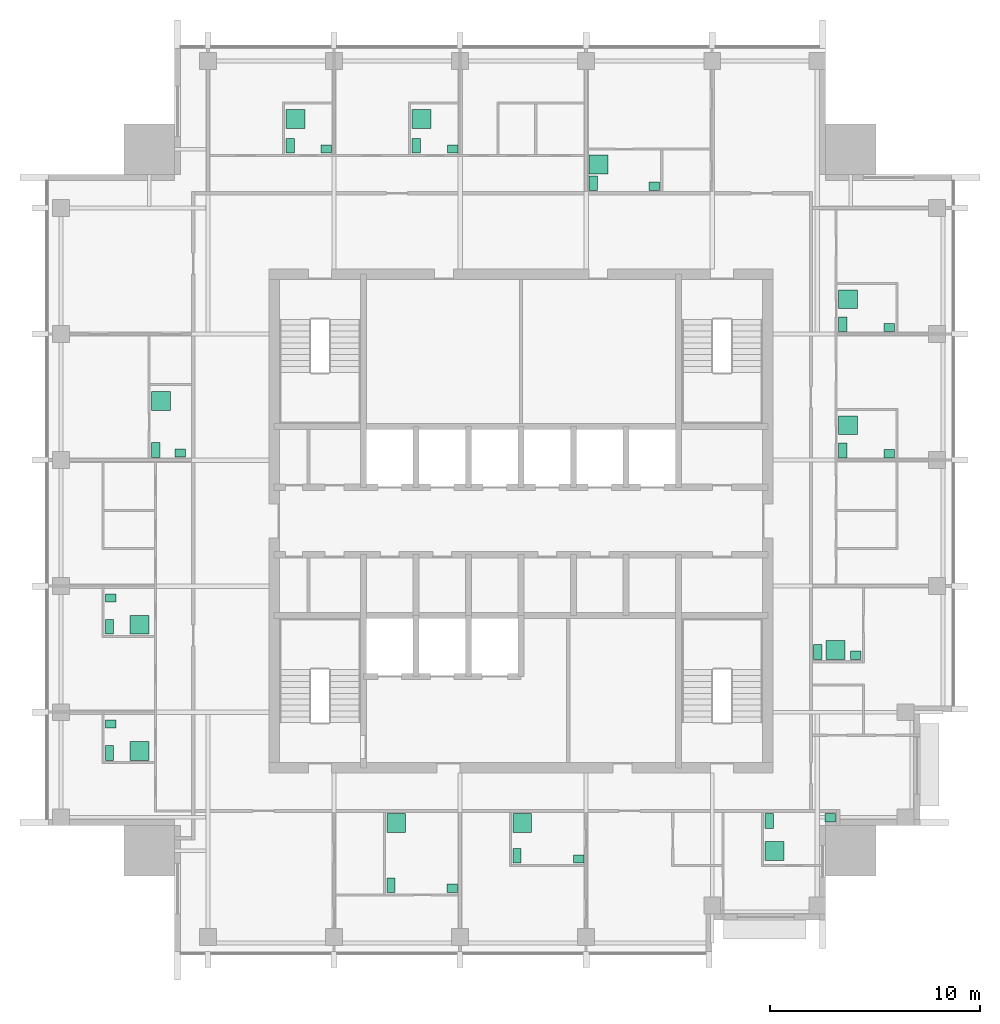
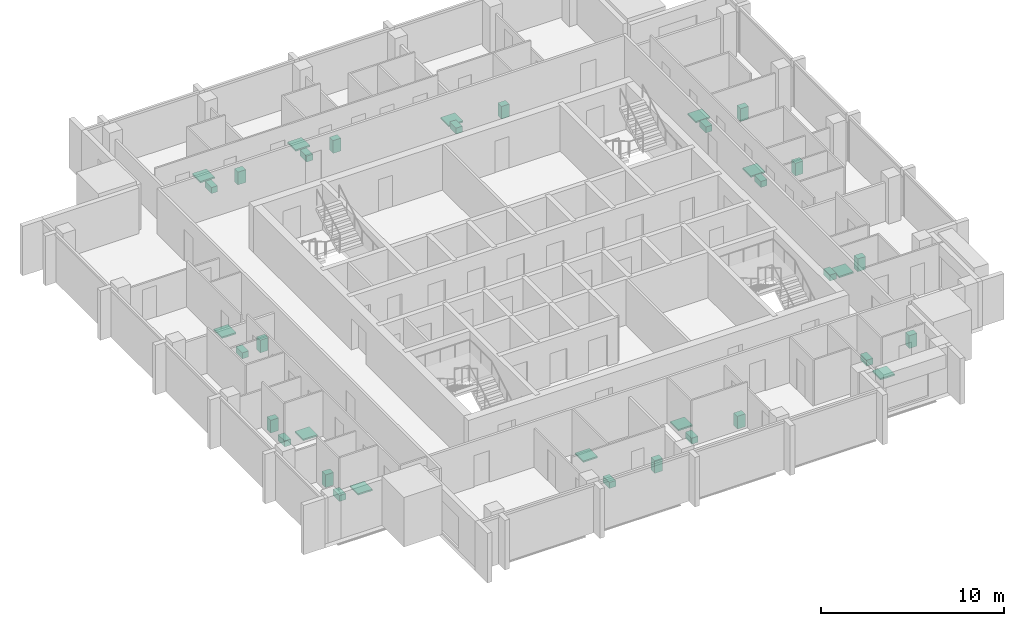
# One storey, part 10 of 10: 36 sanitary terminals.
"""IFC4 building model written with IfcOpenShell, lengths in metres."""

from ifc_helpers import new_model, si_unit, direction, frame, origin, origin_2d, place, context, subcontext, project, spatial, rectangle, extrude, element, save


model = new_model("IFC4")

# Units and contexts
model_context = context("Model", 3, precision=1e-05, world=origin(), true_north=direction((0.0, 1.0)))
body_context = subcontext(model_context, "Body", "Model", "MODEL_VIEW")
ifc_project = project(units=[si_unit("LENGTHUNIT", "METRE"), si_unit("AREAUNIT", "SQUARE_METRE"), si_unit("VOLUMEUNIT", "CUBIC_METRE"), si_unit("PLANEANGLEUNIT", "RADIAN"), si_unit("MASSUNIT", "GRAM", prefix="KILO")], contexts=[model_context])

# Site, building, storey
site_placement = place(None, origin())
site = spatial("IfcSite", under=ifc_project, at=site_placement, CompositionType="ELEMENT")
building_placement = place(site_placement, origin())
building = spatial("IfcBuilding", under=site, at=building_placement, Name="Amberfall Residences", CompositionType="ELEMENT")
storey_placement = place(building_placement, frame((0.0, 0.0, 275.199951171875)))
storey = spatial("IfcBuildingStorey", under=building, at=storey_placement, Name="L74", CompositionType="ELEMENT", Elevation=275.199951171875)

# Sanitary terminals
sanitary_terminal_1_placement = place(storey_placement, frame((68.31005859375, 28.159912109375, 0.0), z_axis=(0.0, 0.0, 1.0), x_axis=(1.0, 0.0, 0.0)))
element("IfcSanitaryTerminal", 1, at=sanitary_terminal_1_placement, inside=storey, Name="Water closet 7401", PredefinedType="TOILETPAN", context=body_context, shape_type="SweptSolid", body=[
    extrude(rectangle(XDim=0.39990234375, YDim=0.699951171875, at=origin_2d()), origin(), (0.0, 0.0, 1.0), 0.39990234375),
])
sanitary_terminal_2_placement = place(storey_placement, frame((71.215087890625, 28.010009765625, 0.0), z_axis=(0.0, 0.0, 1.0), x_axis=(1.0, 0.0, 0.0)))
element("IfcSanitaryTerminal", 2, at=sanitary_terminal_2_placement, inside=storey, Name="Basin 7401", PredefinedType="WASHHANDBASIN", context=body_context, shape_type="SweptSolid", body=[
    extrude(rectangle(XDim=0.5, YDim=0.39990234375, at=origin_2d()), origin(), (0.0, 0.0, 1.0), 0.85009765625),
])
sanitary_terminal_3_placement = place(storey_placement, frame((68.56005859375, 31.114990234375, 0.0), z_axis=(0.0, 0.0, 1.0), x_axis=(1.0, 0.0, 0.0)))
element("IfcSanitaryTerminal", 3, at=sanitary_terminal_3_placement, inside=storey, Name="Shower tray 7401", PredefinedType="SHOWER", context=body_context, shape_type="SweptSolid", body=[
    extrude(rectangle(XDim=0.89990234375, YDim=0.89990234375, at=origin_2d()), origin(), (0.0, 0.0, 1.0), 0.10009765625),
])
sanitary_terminal_4_placement = place(storey_placement, frame((74.31005859375, 29.56005859375, 0.0), z_axis=(0.0, 0.0, 1.0), x_axis=(1.0, 0.0, 0.0)))
element("IfcSanitaryTerminal", 4, at=sanitary_terminal_4_placement, inside=storey, Name="Water closet 7402", PredefinedType="TOILETPAN", context=body_context, shape_type="SweptSolid", body=[
    extrude(rectangle(XDim=0.39990234375, YDim=0.699951171875, at=origin_2d()), origin(), (0.0, 0.0, 1.0), 0.39990234375),
])
sanitary_terminal_5_placement = place(storey_placement, frame((77.239990234375, 29.409912109375, 0.0), z_axis=(0.0, 0.0, 1.0), x_axis=(1.0, 0.0, 0.0)))
element("IfcSanitaryTerminal", 5, at=sanitary_terminal_5_placement, inside=storey, Name="Basin 7402", PredefinedType="WASHHANDBASIN", context=body_context, shape_type="SweptSolid", body=[
    extrude(rectangle(XDim=0.5, YDim=0.39990234375, at=origin_2d()), origin(), (0.0, 0.0, 1.0), 0.85009765625),
])
sanitary_terminal_6_placement = place(storey_placement, frame((74.56005859375, 31.114990234375, 0.0), z_axis=(0.0, 0.0, 1.0), x_axis=(1.0, 0.0, 0.0)))
element("IfcSanitaryTerminal", 6, at=sanitary_terminal_6_placement, inside=storey, Name="Shower tray 7402", PredefinedType="SHOWER", context=body_context, shape_type="SweptSolid", body=[
    extrude(rectangle(XDim=0.89990234375, YDim=0.89990234375, at=origin_2d()), origin(), (0.0, 0.0, 1.0), 0.10009765625),
])
sanitary_terminal_7_placement = place(storey_placement, frame((86.31005859375, 31.215087890625, 0.0), z_axis=(0.0, 0.0, 1.0), x_axis=(1.0, 0.0, 0.0)))
element("IfcSanitaryTerminal", 7, at=sanitary_terminal_7_placement, inside=storey, Name="Water closet 7402", PredefinedType="TOILETPAN", context=body_context, shape_type="SweptSolid", body=[
    extrude(rectangle(XDim=0.39990234375, YDim=0.699951171875, at=origin_2d()), origin(), (0.0, 0.0, 1.0), 0.39990234375),
])
sanitary_terminal_8_placement = place(storey_placement, frame((89.215087890625, 31.364990234375, 0.0), z_axis=(0.0, 0.0, 1.0), x_axis=(1.0, 0.0, 0.0)))
element("IfcSanitaryTerminal", 8, at=sanitary_terminal_8_placement, inside=storey, Name="Basin 7402", PredefinedType="WASHHANDBASIN", context=body_context, shape_type="SweptSolid", body=[
    extrude(rectangle(XDim=0.5, YDim=0.39990234375, at=origin_2d()), origin(), (0.0, 0.0, 1.0), 0.85009765625),
])
sanitary_terminal_9_placement = place(storey_placement, frame((86.56005859375, 29.798095703125, 0.0), z_axis=(0.0, 0.0, 1.0), x_axis=(1.0, 0.0, 0.0)))
element("IfcSanitaryTerminal", 9, at=sanitary_terminal_9_placement, inside=storey, Name="Shower tray 7402", PredefinedType="SHOWER", context=body_context, shape_type="SweptSolid", body=[
    extrude(rectangle(XDim=0.89990234375, YDim=0.89990234375, at=origin_2d()), origin(), (0.0, 0.0, 1.0), 0.10009765625),
])
sanitary_terminal_10_placement = place(storey_placement, frame((88.635009765625, 39.260009765625, 0.0), z_axis=(0.0, 0.0, 1.0), x_axis=(1.0, 0.0, 0.0)))
element("IfcSanitaryTerminal", 10, at=sanitary_terminal_10_placement, inside=storey, Name="Water closet 7403", PredefinedType="TOILETPAN", context=body_context, shape_type="SweptSolid", body=[
    extrude(rectangle(XDim=0.39990234375, YDim=0.699951171875, at=origin_2d()), origin(), (0.0, 0.0, 1.0), 0.39990234375),
])
sanitary_terminal_11_placement = place(storey_placement, frame((90.43994140625, 39.110107421875, 0.0), z_axis=(0.0, 0.0, 1.0), x_axis=(1.0, 0.0, 0.0)))
element("IfcSanitaryTerminal", 11, at=sanitary_terminal_11_placement, inside=storey, Name="Basin 7403", PredefinedType="WASHHANDBASIN", context=body_context, shape_type="SweptSolid", body=[
    extrude(rectangle(XDim=0.5, YDim=0.39990234375, at=origin_2d()), origin(), (0.0, 0.0, 1.0), 0.85009765625),
])
sanitary_terminal_12_placement = place(storey_placement, frame((89.4658203125, 39.360107421875, 0.0), z_axis=(0.0, 0.0, 1.0), x_axis=(1.0, 0.0, 0.0)))
element("IfcSanitaryTerminal", 12, at=sanitary_terminal_12_placement, inside=storey, Name="Shower tray 7403", PredefinedType="SHOWER", context=body_context, shape_type="SweptSolid", body=[
    extrude(rectangle(XDim=0.89990234375, YDim=0.89990234375, at=origin_2d()), origin(), (0.0, 0.0, 1.0), 0.10009765625),
])
sanitary_terminal_13_placement = place(storey_placement, frame((89.81005859375, 48.860107421875, 0.0), z_axis=(0.0, 0.0, 1.0), x_axis=(1.0, 0.0, 0.0)))
element("IfcSanitaryTerminal", 13, at=sanitary_terminal_13_placement, inside=storey, Name="Water closet 7404", PredefinedType="TOILETPAN", context=body_context, shape_type="SweptSolid", body=[
    extrude(rectangle(XDim=0.39990234375, YDim=0.699951171875, at=origin_2d()), origin(), (0.0, 0.0, 1.0), 0.39990234375),
])
sanitary_terminal_14_placement = place(storey_placement, frame((92.0400390625, 48.7099609375, 0.0), z_axis=(0.0, 0.0, 1.0), x_axis=(1.0, 0.0, 0.0)))
element("IfcSanitaryTerminal", 14, at=sanitary_terminal_14_placement, inside=storey, Name="Basin 7404", PredefinedType="WASHHANDBASIN", context=body_context, shape_type="SweptSolid", body=[
    extrude(rectangle(XDim=0.5, YDim=0.39990234375, at=origin_2d()), origin(), (0.0, 0.0, 1.0), 0.85009765625),
])
sanitary_terminal_15_placement = place(storey_placement, frame((90.06005859375, 50.05712890625, 0.0), z_axis=(0.0, 0.0, 1.0), x_axis=(1.0, 0.0, 0.0)))
element("IfcSanitaryTerminal", 15, at=sanitary_terminal_15_placement, inside=storey, Name="Shower tray 7404", PredefinedType="SHOWER", context=body_context, shape_type="SweptSolid", body=[
    extrude(rectangle(XDim=0.89990234375, YDim=0.89990234375, at=origin_2d()), origin(), (0.0, 0.0, 1.0), 0.10009765625),
])
sanitary_terminal_16_placement = place(storey_placement, frame((89.81005859375, 54.860107421875, 0.0), z_axis=(0.0, 0.0, 1.0), x_axis=(1.0, 0.0, 0.0)))
element("IfcSanitaryTerminal", 16, at=sanitary_terminal_16_placement, inside=storey, Name="Water closet 7404", PredefinedType="TOILETPAN", context=body_context, shape_type="SweptSolid", body=[
    extrude(rectangle(XDim=0.39990234375, YDim=0.699951171875, at=origin_2d()), origin(), (0.0, 0.0, 1.0), 0.39990234375),
])
sanitary_terminal_17_placement = place(storey_placement, frame((92.0400390625, 54.7099609375, 0.0), z_axis=(0.0, 0.0, 1.0), x_axis=(1.0, 0.0, 0.0)))
element("IfcSanitaryTerminal", 17, at=sanitary_terminal_17_placement, inside=storey, Name="Basin 7404", PredefinedType="WASHHANDBASIN", context=body_context, shape_type="SweptSolid", body=[
    extrude(rectangle(XDim=0.5, YDim=0.39990234375, at=origin_2d()), origin(), (0.0, 0.0, 1.0), 0.85009765625),
])
sanitary_terminal_18_placement = place(storey_placement, frame((90.06005859375, 56.05712890625, 0.0), z_axis=(0.0, 0.0, 1.0), x_axis=(1.0, 0.0, 0.0)))
element("IfcSanitaryTerminal", 18, at=sanitary_terminal_18_placement, inside=storey, Name="Shower tray 7404", PredefinedType="SHOWER", context=body_context, shape_type="SweptSolid", body=[
    extrude(rectangle(XDim=0.89990234375, YDim=0.89990234375, at=origin_2d()), origin(), (0.0, 0.0, 1.0), 0.10009765625),
])
sanitary_terminal_19_placement = place(storey_placement, frame((63.510009765625, 63.360107421875, 0.0), z_axis=(0.0, 0.0, 1.0), x_axis=(1.0, 0.0, 0.0)))
element("IfcSanitaryTerminal", 19, at=sanitary_terminal_19_placement, inside=storey, Name="Water closet 7405", PredefinedType="TOILETPAN", context=body_context, shape_type="SweptSolid", body=[
    extrude(rectangle(XDim=0.39990234375, YDim=0.699951171875, at=origin_2d()), origin(), (0.0, 0.0, 1.0), 0.39990234375),
])
sanitary_terminal_20_placement = place(storey_placement, frame((65.239990234375, 63.2099609375, 0.0), z_axis=(0.0, 0.0, 1.0), x_axis=(1.0, 0.0, 0.0)))
element("IfcSanitaryTerminal", 20, at=sanitary_terminal_20_placement, inside=storey, Name="Basin 7405", PredefinedType="WASHHANDBASIN", context=body_context, shape_type="SweptSolid", body=[
    extrude(rectangle(XDim=0.5, YDim=0.39990234375, at=origin_2d()), origin(), (0.0, 0.0, 1.0), 0.85009765625),
])
sanitary_terminal_21_placement = place(storey_placement, frame((63.760009765625, 64.642822265625, 0.0), z_axis=(0.0, 0.0, 1.0), x_axis=(1.0, 0.0, 0.0)))
element("IfcSanitaryTerminal", 21, at=sanitary_terminal_21_placement, inside=storey, Name="Shower tray 7405", PredefinedType="SHOWER", context=body_context, shape_type="SweptSolid", body=[
    extrude(rectangle(XDim=0.89990234375, YDim=0.89990234375, at=origin_2d()), origin(), (0.0, 0.0, 1.0), 0.10009765625),
])
sanitary_terminal_22_placement = place(storey_placement, frame((69.510009765625, 63.360107421875, 0.0), z_axis=(0.0, 0.0, 1.0), x_axis=(1.0, 0.0, 0.0)))
element("IfcSanitaryTerminal", 22, at=sanitary_terminal_22_placement, inside=storey, Name="Water closet 7405", PredefinedType="TOILETPAN", context=body_context, shape_type="SweptSolid", body=[
    extrude(rectangle(XDim=0.39990234375, YDim=0.699951171875, at=origin_2d()), origin(), (0.0, 0.0, 1.0), 0.39990234375),
])
sanitary_terminal_23_placement = place(storey_placement, frame((71.239990234375, 63.2099609375, 0.0), z_axis=(0.0, 0.0, 1.0), x_axis=(1.0, 0.0, 0.0)))
element("IfcSanitaryTerminal", 23, at=sanitary_terminal_23_placement, inside=storey, Name="Basin 7405", PredefinedType="WASHHANDBASIN", context=body_context, shape_type="SweptSolid", body=[
    extrude(rectangle(XDim=0.5, YDim=0.39990234375, at=origin_2d()), origin(), (0.0, 0.0, 1.0), 0.85009765625),
])
sanitary_terminal_24_placement = place(storey_placement, frame((69.760009765625, 64.642822265625, 0.0), z_axis=(0.0, 0.0, 1.0), x_axis=(1.0, 0.0, 0.0)))
element("IfcSanitaryTerminal", 24, at=sanitary_terminal_24_placement, inside=storey, Name="Shower tray 7405", PredefinedType="SHOWER", context=body_context, shape_type="SweptSolid", body=[
    extrude(rectangle(XDim=0.89990234375, YDim=0.89990234375, at=origin_2d()), origin(), (0.0, 0.0, 1.0), 0.10009765625),
])
sanitary_terminal_25_placement = place(storey_placement, frame((77.93505859375, 61.5849609375, 0.0), z_axis=(0.0, 0.0, 1.0), x_axis=(1.0, 0.0, 0.0)))
element("IfcSanitaryTerminal", 25, at=sanitary_terminal_25_placement, inside=storey, Name="Water closet 7406", PredefinedType="TOILETPAN", context=body_context, shape_type="SweptSolid", body=[
    extrude(rectangle(XDim=0.39990234375, YDim=0.699951171875, at=origin_2d()), origin(), (0.0, 0.0, 1.0), 0.39990234375),
])
sanitary_terminal_26_placement = place(storey_placement, frame((80.840087890625, 61.43505859375, 0.0), z_axis=(0.0, 0.0, 1.0), x_axis=(1.0, 0.0, 0.0)))
element("IfcSanitaryTerminal", 26, at=sanitary_terminal_26_placement, inside=storey, Name="Basin 7406", PredefinedType="WASHHANDBASIN", context=body_context, shape_type="SweptSolid", body=[
    extrude(rectangle(XDim=0.5, YDim=0.39990234375, at=origin_2d()), origin(), (0.0, 0.0, 1.0), 0.85009765625),
])
sanitary_terminal_27_placement = place(storey_placement, frame((78.18505859375, 62.480712890625, 0.0), z_axis=(0.0, 0.0, 1.0), x_axis=(1.0, 0.0, 0.0)))
element("IfcSanitaryTerminal", 27, at=sanitary_terminal_27_placement, inside=storey, Name="Shower tray 7406", PredefinedType="SHOWER", context=body_context, shape_type="SweptSolid", body=[
    extrude(rectangle(XDim=0.89990234375, YDim=0.89990234375, at=origin_2d()), origin(), (0.0, 0.0, 1.0), 0.10009765625),
])
sanitary_terminal_28_placement = place(storey_placement, frame((54.909912109375, 34.4599609375, 0.0), z_axis=(0.0, 0.0, 1.0), x_axis=(1.0, 0.0, 0.0)))
element("IfcSanitaryTerminal", 28, at=sanitary_terminal_28_placement, inside=storey, Name="Water closet 7407", PredefinedType="TOILETPAN", context=body_context, shape_type="SweptSolid", body=[
    extrude(rectangle(XDim=0.39990234375, YDim=0.699951171875, at=origin_2d()), origin(), (0.0, 0.0, 1.0), 0.39990234375),
])
sanitary_terminal_29_placement = place(storey_placement, frame((54.9599609375, 35.835693359375, 0.0), z_axis=(0.0, 0.0, 1.0), x_axis=(1.0, 0.0, 0.0)))
element("IfcSanitaryTerminal", 29, at=sanitary_terminal_29_placement, inside=storey, Name="Basin 7407", PredefinedType="WASHHANDBASIN", context=body_context, shape_type="SweptSolid", body=[
    extrude(rectangle(XDim=0.5, YDim=0.39990234375, at=origin_2d()), origin(), (0.0, 0.0, 1.0), 0.85009765625),
])
sanitary_terminal_30_placement = place(storey_placement, frame((56.3427734375, 34.56005859375, 0.0), z_axis=(0.0, 0.0, 1.0), x_axis=(1.0, 0.0, 0.0)))
element("IfcSanitaryTerminal", 30, at=sanitary_terminal_30_placement, inside=storey, Name="Shower tray 7407", PredefinedType="SHOWER", context=body_context, shape_type="SweptSolid", body=[
    extrude(rectangle(XDim=0.89990234375, YDim=0.89990234375, at=origin_2d()), origin(), (0.0, 0.0, 1.0), 0.10009765625),
])
sanitary_terminal_31_placement = place(storey_placement, frame((54.909912109375, 40.4599609375, 0.0), z_axis=(0.0, 0.0, 1.0), x_axis=(1.0, 0.0, 0.0)))
element("IfcSanitaryTerminal", 31, at=sanitary_terminal_31_placement, inside=storey, Name="Water closet 7407", PredefinedType="TOILETPAN", context=body_context, shape_type="SweptSolid", body=[
    extrude(rectangle(XDim=0.39990234375, YDim=0.699951171875, at=origin_2d()), origin(), (0.0, 0.0, 1.0), 0.39990234375),
])
sanitary_terminal_32_placement = place(storey_placement, frame((54.9599609375, 41.835693359375, 0.0), z_axis=(0.0, 0.0, 1.0), x_axis=(1.0, 0.0, 0.0)))
element("IfcSanitaryTerminal", 32, at=sanitary_terminal_32_placement, inside=storey, Name="Basin 7407", PredefinedType="WASHHANDBASIN", context=body_context, shape_type="SweptSolid", body=[
    extrude(rectangle(XDim=0.5, YDim=0.39990234375, at=origin_2d()), origin(), (0.0, 0.0, 1.0), 0.85009765625),
])
sanitary_terminal_33_placement = place(storey_placement, frame((56.3427734375, 40.56005859375, 0.0), z_axis=(0.0, 0.0, 1.0), x_axis=(1.0, 0.0, 0.0)))
element("IfcSanitaryTerminal", 33, at=sanitary_terminal_33_placement, inside=storey, Name="Shower tray 7407", PredefinedType="SHOWER", context=body_context, shape_type="SweptSolid", body=[
    extrude(rectangle(XDim=0.89990234375, YDim=0.89990234375, at=origin_2d()), origin(), (0.0, 0.0, 1.0), 0.10009765625),
])
sanitary_terminal_34_placement = place(storey_placement, frame((57.110107421875, 48.885009765625, 0.0), z_axis=(0.0, 0.0, 1.0), x_axis=(1.0, 0.0, 0.0)))
element("IfcSanitaryTerminal", 34, at=sanitary_terminal_34_placement, inside=storey, Name="Water closet 7408", PredefinedType="TOILETPAN", context=body_context, shape_type="SweptSolid", body=[
    extrude(rectangle(XDim=0.39990234375, YDim=0.699951171875, at=origin_2d()), origin(), (0.0, 0.0, 1.0), 0.39990234375),
])
sanitary_terminal_35_placement = place(storey_placement, frame((58.2890625, 48.735107421875, 0.0), z_axis=(0.0, 0.0, 1.0), x_axis=(1.0, 0.0, 0.0)))
element("IfcSanitaryTerminal", 35, at=sanitary_terminal_35_placement, inside=storey, Name="Basin 7408", PredefinedType="WASHHANDBASIN", context=body_context, shape_type="SweptSolid", body=[
    extrude(rectangle(XDim=0.5, YDim=0.39990234375, at=origin_2d()), origin(), (0.0, 0.0, 1.0), 0.85009765625),
])
sanitary_terminal_36_placement = place(storey_placement, frame((57.360107421875, 51.216796875, 0.0), z_axis=(0.0, 0.0, 1.0), x_axis=(1.0, 0.0, 0.0)))
element("IfcSanitaryTerminal", 36, at=sanitary_terminal_36_placement, inside=storey, Name="Shower tray 7408", PredefinedType="SHOWER", context=body_context, shape_type="SweptSolid", body=[
    extrude(rectangle(XDim=0.89990234375, YDim=0.89990234375, at=origin_2d()), origin(), (0.0, 0.0, 1.0), 0.10009765625),
])

save(model, "model.ifc")
